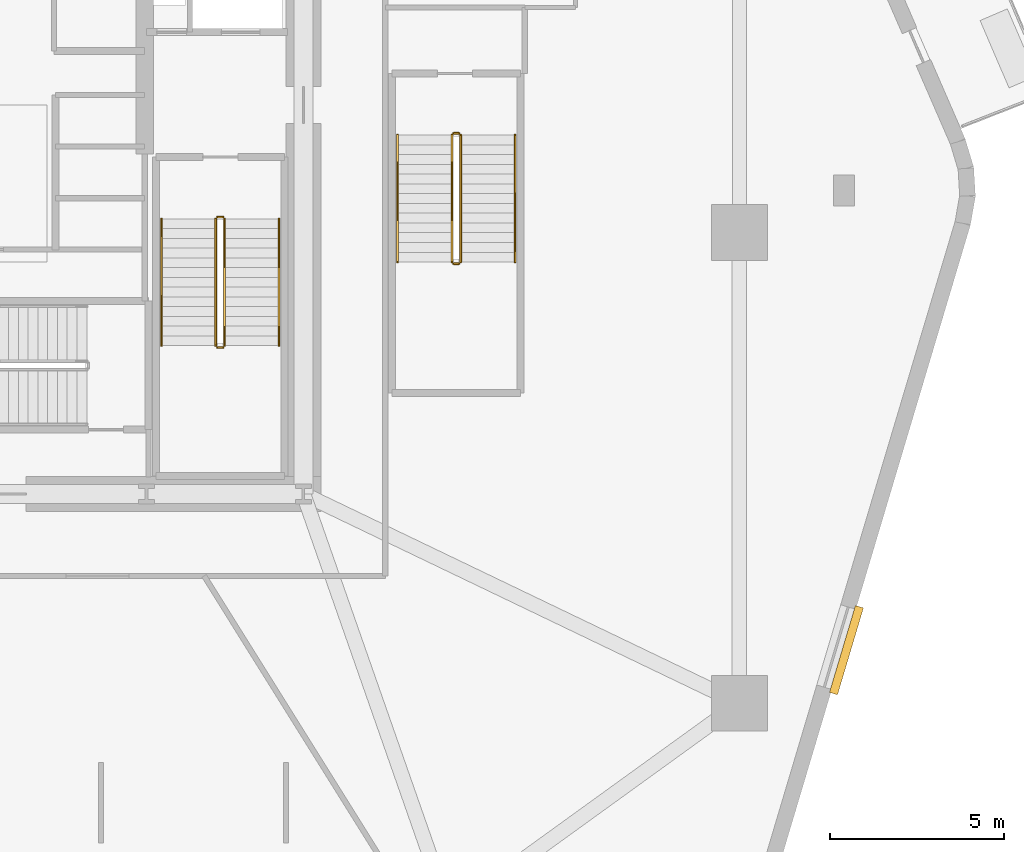
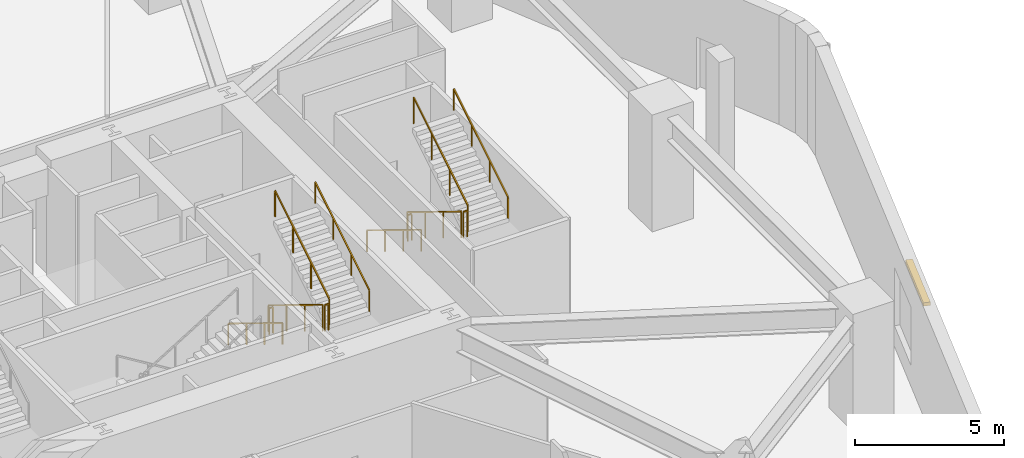
# One storey, part 16 of 17: 12 railings, 1 shading device.
"""IFC4 building model written with IfcOpenShell, lengths in metres."""

from ifc_helpers import new_model, si_unit, direction, frame, origin, origin_2d, place, context, subcontext, project, spatial, rectangle, extrude, material, layer, layer_set, type_object, element, save


model = new_model("IFC4")

# Units and contexts
model_context = context("Model", 3, precision=1e-05, world=origin(), true_north=direction((0.0, 1.0)))
body_context = subcontext(model_context, "Body", "Model", "MODEL_VIEW")
ifc_project = project(units=[si_unit("LENGTHUNIT", "METRE"), si_unit("AREAUNIT", "SQUARE_METRE"), si_unit("VOLUMEUNIT", "CUBIC_METRE"), si_unit("PLANEANGLEUNIT", "RADIAN"), si_unit("MASSUNIT", "GRAM", prefix="KILO")], contexts=[model_context])

# Site, building, storey
site_placement = place(None, origin())
site = spatial("IfcSite", under=ifc_project, at=site_placement, CompositionType="ELEMENT")
building_placement = place(site_placement, origin())
building = spatial("IfcBuilding", under=site, at=building_placement, Name="Kilnhurst Terrace Hotel", CompositionType="ELEMENT")
storey_placement = place(building_placement, frame((0.0, 0.0, 18.60009765625)))
storey = spatial("IfcBuildingStorey", under=building, at=storey_placement, Name="L03", CompositionType="ELEMENT", Elevation=18.60009765625)

# Railings
ifc_material_1 = material(Name="Powder-Coated Steel ASTM A500 Grade B", Category="steel")
ifc_layer_1 = layer(ifc_material_1, 0.050048828125, Name="Powder-Coated Steel ASTM A500 Grade B")
ifc_layer_set_1 = layer_set([ifc_layer_1], Name="Powder-Coated Steel ASTM A500 Grade B")
railing_type_1 = type_object("IfcRailingType", Name="RLG-ST-GRD-1100", PredefinedType="GUARDRAIL", material=ifc_layer_set_1)
railing_1_placement = place(storey_placement, frame((6.489990234375, 0.389892578125, 0.17138671875)))
element("IfcRailing", 1, at=railing_1_placement, inside=storey, type_object=railing_type_1, Name="L03 ST-2 stair guard 1", PredefinedType="GUARDRAIL", context=body_context, shape_type="SweptSolid", body=[
    extrude(rectangle(XDim=0.048095703125, YDim=0.048095703125, at=origin_2d()), frame((0.0, 0.0, 1.076171875), z_axis=(0.0, -0.852850264322, 0.5221555579), x_axis=(1.0, 0.0, 0.0)), (0.0, 0.0, 1.0), 4.267822265625),
    extrude(rectangle(XDim=0.0419921875, YDim=0.0419921875, at=origin_2d()), origin(), (0.0, 0.0, 1.0), 1.052001953125),
    extrude(rectangle(XDim=0.0419921875, YDim=0.0419921875, at=origin_2d()), frame((0.0, -1.21337890625, 0.742919921875)), (0.0, 0.0, 1.0), 1.052001953125),
    extrude(rectangle(XDim=0.0419921875, YDim=0.0419921875, at=origin_2d()), frame((0.0, -2.426513671875, 1.485595703125)), (0.0, 0.0, 1.0), 1.052001953125),
    extrude(rectangle(XDim=0.0419921875, YDim=0.0419921875, at=origin_2d()), frame((0.0, -3.639892578125, 2.228515625)), (0.0, 0.0, 1.0), 1.052001953125),
])
railing_2_placement = place(storey_placement, frame((6.5400390625, -3.300048828125, 2.39990234375)))
element("IfcRailing", 2, at=railing_2_placement, inside=storey, type_object=railing_type_1, Name="L03 ST-2 stair guard 2", PredefinedType="GUARDRAIL", context=body_context, shape_type="SweptSolid", body=[
    extrude(rectangle(XDim=0.048095703125, YDim=0.048095703125, at=origin_2d()), frame((0.0, 0.0, 1.076171875), z_axis=(1.0, 0.0, 0.0), x_axis=(0.0, 1.0, 0.0)), (0.0, 0.0, 1.0), 0.14990234375),
    extrude(rectangle(XDim=0.0419921875, YDim=0.0419921875, at=origin_2d()), origin(), (0.0, 0.0, 1.0), 1.052001953125),
    extrude(rectangle(XDim=0.0419921875, YDim=0.0419921875, at=origin_2d()), frame((0.14990234375, 0.0, 0.0)), (0.0, 0.0, 1.0), 1.052001953125),
])
railing_3_placement = place(storey_placement, frame((6.739990234375, -3.25, 2.5712890625)))
element("IfcRailing", 3, at=railing_3_placement, inside=storey, type_object=railing_type_1, Name="L03 ST-2 stair guard 3", PredefinedType="GUARDRAIL", context=body_context, shape_type="SweptSolid", body=[
    extrude(rectangle(XDim=0.048095703125, YDim=0.048095703125, at=origin_2d()), frame((0.0, 0.0, 1.076171875), z_axis=(0.0, 0.852850264322, 0.5221555579), x_axis=(-1.0, 0.0, 0.0)), (0.0, 0.0, 1.0), 4.267822265625),
    extrude(rectangle(XDim=0.0419921875, YDim=0.0419921875, at=origin_2d()), origin(), (0.0, 0.0, 1.0), 1.052001953125),
    extrude(rectangle(XDim=0.0419921875, YDim=0.0419921875, at=origin_2d()), frame((0.0, 1.21337890625, 0.742919921875)), (0.0, 0.0, 1.0), 1.052001953125),
    extrude(rectangle(XDim=0.0419921875, YDim=0.0419921875, at=origin_2d()), frame((0.0, 2.426513671875, 1.485595703125)), (0.0, 0.0, 1.0), 1.052001953125),
    extrude(rectangle(XDim=0.0419921875, YDim=0.0419921875, at=origin_2d()), frame((0.0, 3.639892578125, 2.228515625)), (0.0, 0.0, 1.0), 1.052001953125),
])
railing_4_placement = place(storey_placement, frame((6.5400390625, 0.43994140625, 0.0)))
element("IfcRailing", 4, at=railing_4_placement, inside=storey, type_object=railing_type_1, Name="L03 ST-2 stair guard 4", PredefinedType="GUARDRAIL", context=body_context, shape_type="SweptSolid", body=[
    extrude(rectangle(XDim=0.048095703125, YDim=0.048095703125, at=origin_2d()), frame((0.0, 0.0, 1.076171875), z_axis=(1.0, 0.0, 0.0), x_axis=(0.0, 1.0, 0.0)), (0.0, 0.0, 1.0), 0.14990234375),
    extrude(rectangle(XDim=0.0419921875, YDim=0.0419921875, at=origin_2d()), origin(), (0.0, 0.0, 1.0), 1.052001953125),
    extrude(rectangle(XDim=0.0419921875, YDim=0.0419921875, at=origin_2d()), frame((0.14990234375, 0.0, 0.0)), (0.0, 0.0, 1.0), 1.052001953125),
])
railing_5_placement = place(storey_placement, frame((13.260009765625, 2.7900390625, 0.17138671875)))
element("IfcRailing", 5, at=railing_5_placement, inside=storey, type_object=railing_type_1, Name="L03 ST-4 stair guard 1", PredefinedType="GUARDRAIL", context=body_context, shape_type="SweptSolid", body=[
    extrude(rectangle(XDim=0.048095703125, YDim=0.048095703125, at=origin_2d()), frame((0.0, 0.0, 1.076171875), z_axis=(0.0, -0.852865859571, 0.52213008492), x_axis=(1.0, 0.0, 0.0)), (0.0, 0.0, 1.0), 4.26806640625),
    extrude(rectangle(XDim=0.0419921875, YDim=0.0419921875, at=origin_2d()), origin(), (0.0, 0.0, 1.0), 1.052001953125),
    extrude(rectangle(XDim=0.0419921875, YDim=0.0419921875, at=origin_2d()), frame((0.0, -1.21337890625, 0.742919921875)), (0.0, 0.0, 1.0), 1.052001953125),
    extrude(rectangle(XDim=0.0419921875, YDim=0.0419921875, at=origin_2d()), frame((0.0, -2.4267578125, 1.485595703125)), (0.0, 0.0, 1.0), 1.052001953125),
    extrude(rectangle(XDim=0.0419921875, YDim=0.0419921875, at=origin_2d()), frame((0.0, -3.64013671875, 2.228515625)), (0.0, 0.0, 1.0), 1.052001953125),
])
railing_6_placement = place(storey_placement, frame((13.31005859375, -0.89990234375, 2.39990234375)))
element("IfcRailing", 6, at=railing_6_placement, inside=storey, type_object=railing_type_1, Name="L03 ST-4 stair guard 2", PredefinedType="GUARDRAIL", context=body_context, shape_type="SweptSolid", body=[
    extrude(rectangle(XDim=0.048095703125, YDim=0.048095703125, at=origin_2d()), frame((0.0, 0.0, 1.076171875), z_axis=(1.0, 0.0, 0.0), x_axis=(0.0, 1.0, 0.0)), (0.0, 0.0, 1.0), 0.14990234375),
    extrude(rectangle(XDim=0.0419921875, YDim=0.0419921875, at=origin_2d()), origin(), (0.0, 0.0, 1.0), 1.052001953125),
    extrude(rectangle(XDim=0.0419921875, YDim=0.0419921875, at=origin_2d()), frame((0.14990234375, 0.0, 0.0)), (0.0, 0.0, 1.0), 1.052001953125),
])
railing_7_placement = place(storey_placement, frame((13.510009765625, -0.85009765625, 2.5712890625)))
element("IfcRailing", 7, at=railing_7_placement, inside=storey, type_object=railing_type_1, Name="L03 ST-4 stair guard 3", PredefinedType="GUARDRAIL", context=body_context, shape_type="SweptSolid", body=[
    extrude(rectangle(XDim=0.048095703125, YDim=0.048095703125, at=origin_2d()), frame((0.0, 0.0, 1.076171875), z_axis=(0.0, 0.852865859571, 0.52213008492), x_axis=(-1.0, 0.0, 0.0)), (0.0, 0.0, 1.0), 4.26806640625),
    extrude(rectangle(XDim=0.0419921875, YDim=0.0419921875, at=origin_2d()), origin(), (0.0, 0.0, 1.0), 1.052001953125),
    extrude(rectangle(XDim=0.0419921875, YDim=0.0419921875, at=origin_2d()), frame((0.0, 1.21337890625, 0.742919921875)), (0.0, 0.0, 1.0), 1.052001953125),
    extrude(rectangle(XDim=0.0419921875, YDim=0.0419921875, at=origin_2d()), frame((0.0, 2.4267578125, 1.485595703125)), (0.0, 0.0, 1.0), 1.052001953125),
    extrude(rectangle(XDim=0.0419921875, YDim=0.0419921875, at=origin_2d()), frame((0.0, 3.64013671875, 2.228515625)), (0.0, 0.0, 1.0), 1.052001953125),
])
railing_8_placement = place(storey_placement, frame((13.31005859375, 2.840087890625, 0.0)))
element("IfcRailing", 8, at=railing_8_placement, inside=storey, type_object=railing_type_1, Name="L03 ST-4 stair guard 4", PredefinedType="GUARDRAIL", context=body_context, shape_type="SweptSolid", body=[
    extrude(rectangle(XDim=0.048095703125, YDim=0.048095703125, at=origin_2d()), frame((0.0, 0.0, 1.076171875), z_axis=(1.0, 0.0, 0.0), x_axis=(0.0, 1.0, 0.0)), (0.0, 0.0, 1.0), 0.14990234375),
    extrude(rectangle(XDim=0.0419921875, YDim=0.0419921875, at=origin_2d()), origin(), (0.0, 0.0, 1.0), 1.052001953125),
    extrude(rectangle(XDim=0.0419921875, YDim=0.0419921875, at=origin_2d()), frame((0.14990234375, 0.0, 0.0)), (0.0, 0.0, 1.0), 1.052001953125),
])
ifc_material_2 = material(Name="Brushed Stainless Steel AISI 304", Category="steel")
ifc_layer_2 = layer(ifc_material_2, 0.048095703125, Name="Brushed Stainless Steel AISI 304")
ifc_layer_set_2 = layer_set([ifc_layer_2], Name="Brushed Stainless Steel AISI 304")
railing_type_2 = type_object("IfcRailingType", Name="RLG-ST-HRL-900", PredefinedType="HANDRAIL", material=ifc_layer_set_2)
railing_9_placement = place(storey_placement, frame((4.929931640625, 0.389892578125, 0.17138671875)))
element("IfcRailing", 9, at=railing_9_placement, inside=storey, type_object=railing_type_2, Name="L03 ST-2 stair handrail 1", PredefinedType="HANDRAIL", context=body_context, shape_type="SweptSolid", body=[
    extrude(rectangle(XDim=0.048095703125, YDim=0.048095703125, at=origin_2d()), frame((0.0, 0.0, 0.8759765625), z_axis=(0.0, -0.852850264322, 0.5221555579), x_axis=(1.0, 0.0, 0.0)), (0.0, 0.0, 1.0), 4.267822265625),
    extrude(rectangle(XDim=0.0419921875, YDim=0.0419921875, at=origin_2d()), origin(), (0.0, 0.0, 1.0), 0.851806640625),
    extrude(rectangle(XDim=0.0419921875, YDim=0.0419921875, at=origin_2d()), frame((0.0, -1.21337890625, 0.742919921875)), (0.0, 0.0, 1.0), 0.851806640625),
    extrude(rectangle(XDim=0.0419921875, YDim=0.0419921875, at=origin_2d()), frame((0.0, -2.426513671875, 1.485595703125)), (0.0, 0.0, 1.0), 0.851806640625),
    extrude(rectangle(XDim=0.0419921875, YDim=0.0419921875, at=origin_2d()), frame((0.0, -3.639892578125, 2.228515625)), (0.0, 0.0, 1.0), 0.851806640625),
])
railing_10_placement = place(storey_placement, frame((8.300048828125, -3.25, 2.5712890625)))
element("IfcRailing", 10, at=railing_10_placement, inside=storey, type_object=railing_type_2, Name="L03 ST-2 stair handrail 2", PredefinedType="HANDRAIL", context=body_context, shape_type="SweptSolid", body=[
    extrude(rectangle(XDim=0.048095703125, YDim=0.048095703125, at=origin_2d()), frame((0.0, 0.0, 0.8759765625), z_axis=(0.0, 0.852850264322, 0.5221555579), x_axis=(-1.0, 0.0, 0.0)), (0.0, 0.0, 1.0), 4.267822265625),
    extrude(rectangle(XDim=0.0419921875, YDim=0.0419921875, at=origin_2d()), origin(), (0.0, 0.0, 1.0), 0.851806640625),
    extrude(rectangle(XDim=0.0419921875, YDim=0.0419921875, at=origin_2d()), frame((0.0, 1.21337890625, 0.742919921875)), (0.0, 0.0, 1.0), 0.851806640625),
    extrude(rectangle(XDim=0.0419921875, YDim=0.0419921875, at=origin_2d()), frame((0.0, 2.426513671875, 1.485595703125)), (0.0, 0.0, 1.0), 0.851806640625),
    extrude(rectangle(XDim=0.0419921875, YDim=0.0419921875, at=origin_2d()), frame((0.0, 3.639892578125, 2.228515625)), (0.0, 0.0, 1.0), 0.851806640625),
])
railing_11_placement = place(storey_placement, frame((11.699951171875, 2.7900390625, 0.17138671875)))
element("IfcRailing", 11, at=railing_11_placement, inside=storey, type_object=railing_type_2, Name="L03 ST-4 stair handrail 1", PredefinedType="HANDRAIL", context=body_context, shape_type="SweptSolid", body=[
    extrude(rectangle(XDim=0.048095703125, YDim=0.048095703125, at=origin_2d()), frame((0.0, 0.0, 0.8759765625), z_axis=(0.0, -0.852865859571, 0.52213008492), x_axis=(1.0, 0.0, 0.0)), (0.0, 0.0, 1.0), 4.26806640625),
    extrude(rectangle(XDim=0.0419921875, YDim=0.0419921875, at=origin_2d()), origin(), (0.0, 0.0, 1.0), 0.851806640625),
    extrude(rectangle(XDim=0.0419921875, YDim=0.0419921875, at=origin_2d()), frame((0.0, -1.21337890625, 0.742919921875)), (0.0, 0.0, 1.0), 0.851806640625),
    extrude(rectangle(XDim=0.0419921875, YDim=0.0419921875, at=origin_2d()), frame((0.0, -2.4267578125, 1.485595703125)), (0.0, 0.0, 1.0), 0.851806640625),
    extrude(rectangle(XDim=0.0419921875, YDim=0.0419921875, at=origin_2d()), frame((0.0, -3.64013671875, 2.228515625)), (0.0, 0.0, 1.0), 0.851806640625),
])
railing_12_placement = place(storey_placement, frame((15.070068359375, -0.85009765625, 2.5712890625)))
element("IfcRailing", 12, at=railing_12_placement, inside=storey, type_object=railing_type_2, Name="L03 ST-4 stair handrail 2", PredefinedType="HANDRAIL", context=body_context, shape_type="SweptSolid", body=[
    extrude(rectangle(XDim=0.048095703125, YDim=0.048095703125, at=origin_2d()), frame((0.0, 0.0, 0.8759765625), z_axis=(0.0, 0.852865859571, 0.52213008492), x_axis=(-1.0, 0.0, 0.0)), (0.0, 0.0, 1.0), 4.26806640625),
    extrude(rectangle(XDim=0.0419921875, YDim=0.0419921875, at=origin_2d()), origin(), (0.0, 0.0, 1.0), 0.851806640625),
    extrude(rectangle(XDim=0.0419921875, YDim=0.0419921875, at=origin_2d()), frame((0.0, 1.21337890625, 0.742919921875)), (0.0, 0.0, 1.0), 0.851806640625),
    extrude(rectangle(XDim=0.0419921875, YDim=0.0419921875, at=origin_2d()), frame((0.0, 2.4267578125, 1.485595703125)), (0.0, 0.0, 1.0), 0.851806640625),
    extrude(rectangle(XDim=0.0419921875, YDim=0.0419921875, at=origin_2d()), frame((0.0, 3.64013671875, 2.228515625)), (0.0, 0.0, 1.0), 0.851806640625),
])

# Shading device
ifc_material_3 = material(Name="Terracotta Baguette Sunshade on Aluminium Alloy 6063-T6", Category="masonry")
ifc_layer_3 = layer(ifc_material_3, 0.199951171875, Name="Terracotta Baguette Sunshade on Aluminium Alloy 6063-T6")
ifc_layer_set_3 = layer_set([ifc_layer_3], Name="Terracotta Baguette Sunshade on Aluminium Alloy 6063-T6")
shading_device_type = type_object("IfcShadingDeviceType", Name="SHD-SUN-200", PredefinedType="JALOUSIE", material=ifc_layer_set_3)
shading_device_placement = place(storey_placement, frame((24.570068359375, -11.97802734375, 3.27978515625), z_axis=(0.0, 0.0, 1.0), x_axis=(0.286006143491, 0.958227783925, 0.0)))
element("IfcShadingDevice", 13, at=shading_device_placement, inside=storey, type_object=shading_device_type, Name="L03 Terracotta Window Sunshade F2.1", PredefinedType="JALOUSIE", context=body_context, shape_type="SweptSolid", body=[
    extrude(rectangle(XDim=2.60009765625, YDim=0.239990234375, at=origin_2d()), origin(), (0.0, 0.0, 1.0), 0.139892578125),
])

save(model, "model.ifc")
